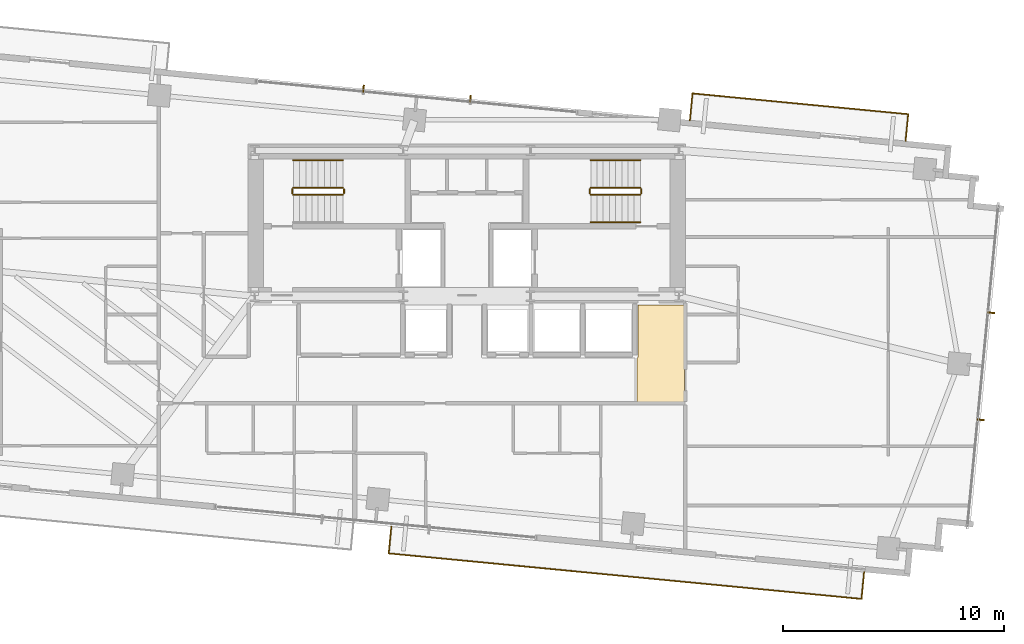
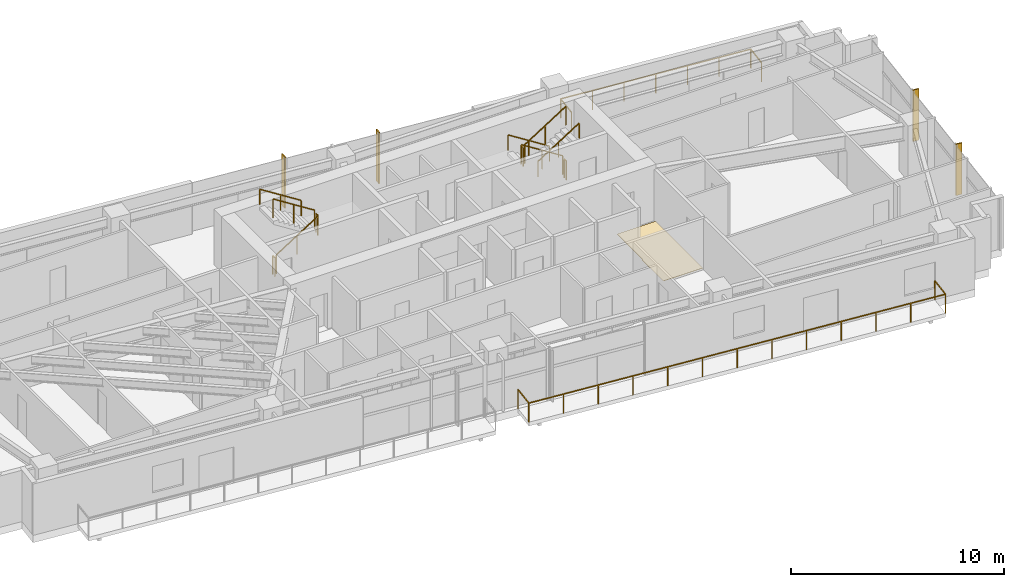
# One storey, part 19 of 19: 13 railings, 4 shading devices, 1 covering.
"""IFC4 building model written with IfcOpenShell, lengths in metres."""

from ifc_helpers import new_model, si_unit, direction, frame, origin, origin_2d, place, context, subcontext, project, spatial, polyline, rectangle, outline, extrude, source, transform, mapped, material, layer, layer_set, type_object, type_shapes, element, save


model = new_model("IFC4")

# Units and contexts
model_context = context("Model", 3, precision=1e-05, world=origin(), true_north=direction((0.0, 1.0)))
body_context = subcontext(model_context, "Body", "Model", "MODEL_VIEW")
ifc_project = project(units=[si_unit("LENGTHUNIT", "METRE"), si_unit("AREAUNIT", "SQUARE_METRE"), si_unit("VOLUMEUNIT", "CUBIC_METRE"), si_unit("PLANEANGLEUNIT", "RADIAN"), si_unit("MASSUNIT", "GRAM", prefix="KILO")], contexts=[model_context])

# Site, building, storey
site_placement = place(None, origin())
site = spatial("IfcSite", under=ifc_project, at=site_placement, CompositionType="ELEMENT")
building_placement = place(site_placement, origin())
building = spatial("IfcBuilding", under=site, at=building_placement, Name="Astriad Promenade Condominiums", CompositionType="ELEMENT")
storey_placement = place(building_placement, frame((0.0, 0.0, 124.60009765625)))
storey = spatial("IfcBuildingStorey", under=building, at=storey_placement, Name="L35", CompositionType="ELEMENT", Elevation=124.60009765625)

# Covering
ifc_material_1 = material(Name="Polished Lakefront Terrazzo Flooring")
ifc_layer = layer(ifc_material_1, 0.02001953125)
ifc_layer_set = layer_set([ifc_layer], Name="Polished Lakefront Terrazzo Flooring")
covering_type = type_object("IfcCoveringType", Name="COV-FLOR-TERRAZZO-20", PredefinedType="FLOORING", material=ifc_layer_set)
covering_placement = place(storey_placement, origin())
element("IfcCovering", 1, at=covering_placement, inside=storey, type_object=covering_type, Name="FLR-L35-COR-1", PredefinedType="FLOORING", context=body_context, shape_type="SweptSolid", body=[
    extrude(outline(polyline([(43.699951171875, 12.590087890625), (43.699951171875, 14.610107421875), (43.703857421875, 14.610107421875), (43.707763671875, 14.61083984375), (43.711669921875, 14.61181640625), (43.71533203125, 14.613037109375), (43.718994140625, 14.61474609375), (43.72216796875, 14.61669921875), (43.725341796875, 14.619140625), (43.728271484375, 14.62158203125), (43.73095703125, 14.62451171875), (43.7333984375, 14.627685546875), (43.7353515625, 14.631103515625), (43.737060546875, 14.634765625), (43.73828125, 14.638427734375), (43.7392578125, 14.64208984375), (43.73974609375, 14.64599609375), (43.739990234375, 14.64990234375), (43.739990234375, 17.010009765625), (45.840087890625, 17.010009765625), (45.840087890625, 12.590087890625), (43.699951171875, 12.590087890625)])), origin(), (0.0, 0.0, 1.0), 0.02001953125),
])

# Shading devices
ifc_material_2 = material(Name="Anodised aluminium 6063-T6 Black Fin", Category="aluminium")
shading_device_type = type_object("IfcShadingDeviceType", Name="FIN-BLACK-260", PredefinedType="USERDEFINED", material=ifc_material_2)
shared_shape_1 = source(origin(), body_context, "Body", "SweptSolid", [
    extrude(rectangle(XDim=0.06494140625, YDim=0.320068359375, at=origin_2d()), origin(), (0.0, 0.0, 1.0), 2.93994140625),
])
type_shapes(shading_device_type, [shared_shape_1])
for number, where, z_axis, x_axis, name in (
    (2, (31.3212890625, 26.7978515625, 0.0), (0.0, 0.0, 1.0), (0.995396198367, -0.09584575252, 0.0), "CW-L35-N-FIN-01"),
    (3, (36.1591796875, 26.331787109375, 0.0), (0.0, 0.0, 1.0), (0.995396198367, -0.09584575252, 0.0), "CW-L35-N-FIN-02"),
    (4, (59.7197265625, 16.652587890625, 0.0), (0.0, 0.0, 1.0), (-0.09584575252, -0.995396198367, 0.0), "CW-L35-E-FIN-01"),
    (5, (59.25341796875, 11.808349609375, 0.0), (0.0, 0.0, 1.0), (-0.09584575252, -0.995396198367, 0.0), "CW-L35-E-FIN-02"),
):
    element("IfcShadingDevice", number, at=place(storey_placement, frame(where, z_axis=z_axis, x_axis=x_axis)), inside=storey, type_object=shading_device_type, Name=name, ObjectType="FIN", PredefinedType="USERDEFINED", context=body_context, shape_type="MappedRepresentation", body=[
        mapped(shared_shape_1, transform((0.0, 0.0, 0.0), scale=1.0)),
    ])

# Railings
ifc_material_3 = material(Name="Laminated Glass and Stainless Steel Balustrade", Category="steel")
railing_type_1 = type_object("IfcRailingType", Name="GRD-BALC-1120", PredefinedType="BALUSTRADE", material=ifc_material_3)
shared_shape_2 = source(origin(), body_context, "Body", "SweptSolid", [
    extrude(rectangle(XDim=0.048095703125, YDim=0.048095703125, at=origin_2d()), frame((0.0, 0.0, 1.09619140625), z_axis=(-0.095857307208, -0.99539508571, 0.0), x_axis=(0.99539508571, -0.095857307208, 0.0)), (0.0, 0.0, 1.0), 1.219970703125),
    extrude(rectangle(XDim=0.048095703125, YDim=0.048095703125, at=origin_2d()), frame((-0.116943359375, -1.21435546875, 1.09619140625), z_axis=(0.995396826412, -0.095839229801, 0.0), x_axis=(0.095839229801, 0.995396826412, 0.0)), (0.0, 0.0, 1.0), 21.494873046875),
    extrude(rectangle(XDim=0.048095703125, YDim=0.048095703125, at=origin_2d()), frame((21.279052734375, -3.2744140625, 1.09619140625), z_axis=(0.095857307208, 0.99539508571, 0.0), x_axis=(-0.99539508571, 0.095857307208, 0.0)), (0.0, 0.0, 1.0), 1.219970703125),
    extrude(rectangle(XDim=0.0419921875, YDim=0.0419921875, at=origin_2d()), origin(), (0.0, 0.0, 1.0), 1.072021484375),
    extrude(rectangle(XDim=0.0419921875, YDim=0.0419921875, at=origin_2d()), frame((-0.116943359375, -1.21435546875, 0.0)), (0.0, 0.0, 1.0), 1.072021484375),
    extrude(rectangle(XDim=0.0419921875, YDim=0.0419921875, at=origin_2d()), frame((1.666015625, -1.385986328125, 0.0)), (0.0, 0.0, 1.0), 1.072021484375),
    extrude(rectangle(XDim=0.0419921875, YDim=0.0419921875, at=origin_2d()), frame((3.448974609375, -1.5576171875, 0.0)), (0.0, 0.0, 1.0), 1.072021484375),
    extrude(rectangle(XDim=0.0419921875, YDim=0.0419921875, at=origin_2d()), frame((5.23193359375, -1.7294921875, 0.0)), (0.0, 0.0, 1.0), 1.072021484375),
    extrude(rectangle(XDim=0.0419921875, YDim=0.0419921875, at=origin_2d()), frame((7.01513671875, -1.901123046875, 0.0)), (0.0, 0.0, 1.0), 1.072021484375),
    extrude(rectangle(XDim=0.0419921875, YDim=0.0419921875, at=origin_2d()), frame((8.798095703125, -2.07275390625, 0.0)), (0.0, 0.0, 1.0), 1.072021484375),
    extrude(rectangle(XDim=0.0419921875, YDim=0.0419921875, at=origin_2d()), frame((10.5810546875, -2.244384765625, 0.0)), (0.0, 0.0, 1.0), 1.072021484375),
    extrude(rectangle(XDim=0.0419921875, YDim=0.0419921875, at=origin_2d()), frame((12.364013671875, -2.416015625, 0.0)), (0.0, 0.0, 1.0), 1.072021484375),
    extrude(rectangle(XDim=0.0419921875, YDim=0.0419921875, at=origin_2d()), frame((14.14697265625, -2.587646484375, 0.0)), (0.0, 0.0, 1.0), 1.072021484375),
    extrude(rectangle(XDim=0.0419921875, YDim=0.0419921875, at=origin_2d()), frame((15.93017578125, -2.75927734375, 0.0)), (0.0, 0.0, 1.0), 1.072021484375),
    extrude(rectangle(XDim=0.0419921875, YDim=0.0419921875, at=origin_2d()), frame((17.713134765625, -2.93115234375, 0.0)), (0.0, 0.0, 1.0), 1.072021484375),
    extrude(rectangle(XDim=0.0419921875, YDim=0.0419921875, at=origin_2d()), frame((19.49609375, -3.102783203125, 0.0)), (0.0, 0.0, 1.0), 1.072021484375),
    extrude(rectangle(XDim=0.0419921875, YDim=0.0419921875, at=origin_2d()), frame((21.279052734375, -3.2744140625, 0.0)), (0.0, 0.0, 1.0), 1.072021484375),
    extrude(rectangle(XDim=0.0419921875, YDim=0.0419921875, at=origin_2d()), frame((21.39599609375, -2.06005859375, 0.0)), (0.0, 0.0, 1.0), 1.072021484375),
])
railing_1_placement = place(storey_placement, frame((32.579345703125, 6.975830078125, 0.0)))
element("IfcRailing", 6, at=railing_1_placement, inside=storey, type_object=railing_type_1, Name="GRD-BALC-L35-SE", PredefinedType="BALUSTRADE", context=body_context, shape_type="MappedRepresentation", body=[
    mapped(shared_shape_2, transform((0.0, 0.0, 0.0), scale=1.0)),
])
shared_shape_3 = source(origin(), body_context, "Body", "SweptSolid", [
    extrude(rectangle(XDim=0.048095703125, YDim=0.048095703125, at=origin_2d()), frame((0.0, 0.0, 1.09619140625), z_axis=(0.095857307208, 0.99539508571, 0.0), x_axis=(-0.99539508571, 0.095857307208, 0.0)), (0.0, 0.0, 1.0), 1.219970703125),
    extrude(rectangle(XDim=0.048095703125, YDim=0.048095703125, at=origin_2d()), frame((0.116943359375, 1.21435546875, 1.09619140625), z_axis=(-0.995396477647, 0.095842852043, 0.0), x_axis=(-0.095842852043, -0.995396477647, 0.0)), (0.0, 0.0, 1.0), 9.80712890625),
    extrude(rectangle(XDim=0.048095703125, YDim=0.048095703125, at=origin_2d()), frame((-9.64501953125, 2.154296875, 1.09619140625), z_axis=(-0.095659020692, -0.99541416092, 0.0), x_axis=(0.99541416092, -0.095659020692, 0.0)), (0.0, 0.0, 1.0), 1.219970703125),
    extrude(rectangle(XDim=0.0419921875, YDim=0.0419921875, at=origin_2d()), origin(), (0.0, 0.0, 1.0), 1.072021484375),
    extrude(rectangle(XDim=0.0419921875, YDim=0.0419921875, at=origin_2d()), frame((0.116943359375, 1.21435546875, 0.0)), (0.0, 0.0, 1.0), 1.072021484375),
    extrude(rectangle(XDim=0.0419921875, YDim=0.0419921875, at=origin_2d()), frame((-1.510009765625, 1.37109375, 0.0)), (0.0, 0.0, 1.0), 1.072021484375),
    extrude(rectangle(XDim=0.0419921875, YDim=0.0419921875, at=origin_2d()), frame((-3.136962890625, 1.527587890625, 0.0)), (0.0, 0.0, 1.0), 1.072021484375),
    extrude(rectangle(XDim=0.0419921875, YDim=0.0419921875, at=origin_2d()), frame((-4.76416015625, 1.684326171875, 0.0)), (0.0, 0.0, 1.0), 1.072021484375),
    extrude(rectangle(XDim=0.0419921875, YDim=0.0419921875, at=origin_2d()), frame((-6.39111328125, 1.841064453125, 0.0)), (0.0, 0.0, 1.0), 1.072021484375),
    extrude(rectangle(XDim=0.0419921875, YDim=0.0419921875, at=origin_2d()), frame((-8.01806640625, 1.99755859375, 0.0)), (0.0, 0.0, 1.0), 1.072021484375),
    extrude(rectangle(XDim=0.0419921875, YDim=0.0419921875, at=origin_2d()), frame((-9.64501953125, 2.154296875, 0.0)), (0.0, 0.0, 1.0), 1.072021484375),
    extrude(rectangle(XDim=0.0419921875, YDim=0.0419921875, at=origin_2d()), frame((-9.76171875, 0.93994140625, 0.0)), (0.0, 0.0, 1.0), 1.072021484375),
])
type_shapes(railing_type_1, [shared_shape_2, shared_shape_3])
railing_2_placement = place(storey_placement, frame((55.85400390625, 24.425537109375, 0.0)))
element("IfcRailing", 7, at=railing_2_placement, inside=storey, type_object=railing_type_1, Name="GRD-BALC-L35-NE", PredefinedType="BALUSTRADE", context=body_context, shape_type="MappedRepresentation", body=[
    mapped(shared_shape_3, transform((0.0, 0.0, 0.0), scale=1.0)),
])
ifc_material_4 = material(Name="Painted Galvanised Steel Guardrail", Category="steel")
railing_type_2 = type_object("IfcRailingType", Name="GRD-STAIR-1100", PredefinedType="GUARDRAIL", material=ifc_material_4)
shared_shape_4 = source(origin(), body_context, "Body", "SweptSolid", [
    extrude(rectangle(XDim=0.048095703125, YDim=0.048095703125, at=origin_2d()), frame((0.0, 0.0, 1.076171875), z_axis=(0.0, 1.0, 0.0), x_axis=(-1.0, 0.0, 0.0)), (0.0, 0.0, 1.0), 0.199951171875),
    extrude(rectangle(XDim=0.0419921875, YDim=0.0419921875, at=origin_2d()), origin(), (0.0, 0.0, 1.0), 1.052001953125),
    extrude(rectangle(XDim=0.0419921875, YDim=0.0419921875, at=origin_2d()), frame((0.0, 0.199951171875, 0.0)), (0.0, 0.0, 1.0), 1.052001953125),
])
for number, where, name in (
    (8, (30.43994140625, 22.050048828125, 1.599853515625), "L35 ST-1 stair guard 2"),
    (9, (28.10009765625, 22.050048828125, 0.0), "L35 ST-1 stair guard 4"),
):
    element("IfcRailing", number, at=place(storey_placement, frame(where)), inside=storey, type_object=railing_type_2, Name=name, PredefinedType="GUARDRAIL", context=body_context, shape_type="MappedRepresentation", body=[
        mapped(shared_shape_4, transform((0.0, 0.0, 0.0), scale=1.0)),
    ])
shared_shape_5 = source(origin(), body_context, "Body", "SweptSolid", [
    extrude(rectangle(XDim=0.048095703125, YDim=0.048095703125, at=origin_2d()), frame((0.0, 0.0, 1.076171875), z_axis=(0.84418770128, 0.0, 0.536047689118), x_axis=(0.0, 1.0, 0.0)), (0.0, 0.0, 1.0), 2.6533203125),
    extrude(rectangle(XDim=0.0419921875, YDim=0.0419921875, at=origin_2d()), origin(), (0.0, 0.0, 1.0), 1.052001953125),
    extrude(rectangle(XDim=0.0419921875, YDim=0.0419921875, at=origin_2d()), frame((1.1201171875, 0.0, 0.711181640625)), (0.0, 0.0, 1.0), 1.052001953125),
    extrude(rectangle(XDim=0.0419921875, YDim=0.0419921875, at=origin_2d()), frame((2.239990234375, 0.0, 1.42236328125)), (0.0, 0.0, 1.0), 1.052001953125),
])
railing_3_placement = place(storey_placement, frame((41.610107421875, 22.0, 1.777587890625)))
element("IfcRailing", 10, at=railing_3_placement, inside=storey, type_object=railing_type_2, Name="L35 ST-2 stair guard 3", PredefinedType="GUARDRAIL", context=body_context, shape_type="MappedRepresentation", body=[
    mapped(shared_shape_5, transform((0.0, 0.0, 0.0), scale=1.0)),
])
shared_shape_6 = source(origin(), body_context, "Body", "SweptSolid", [
    extrude(rectangle(XDim=0.048095703125, YDim=0.048095703125, at=origin_2d()), frame((0.0, 0.0, 1.076171875), z_axis=(-0.8442293374, 0.0, 0.53598211339), x_axis=(0.0, -1.0, 0.0)), (0.0, 0.0, 1.0), 2.6533203125),
    extrude(rectangle(XDim=0.0419921875, YDim=0.0419921875, at=origin_2d()), origin(), (0.0, 0.0, 1.0), 1.052001953125),
    extrude(rectangle(XDim=0.0419921875, YDim=0.0419921875, at=origin_2d()), frame((-1.1201171875, 0.0, 0.7109375)), (0.0, 0.0, 1.0), 1.052001953125),
    extrude(rectangle(XDim=0.0419921875, YDim=0.0419921875, at=origin_2d()), frame((-2.239990234375, 0.0, 1.422119140625)), (0.0, 0.0, 1.0), 1.052001953125),
])
railing_4_placement = place(storey_placement, frame((43.85009765625, 22.300048828125, 0.177734375)))
element("IfcRailing", 11, at=railing_4_placement, inside=storey, type_object=railing_type_2, Name="L35 ST-2 stair guard 1", PredefinedType="GUARDRAIL", context=body_context, shape_type="MappedRepresentation", body=[
    mapped(shared_shape_6, transform((0.0, 0.0, 0.0), scale=1.0)),
])
ifc_material_5 = material(Name="Brushed Stainless Steel Handrail", Category="steel")
railing_type_3 = type_object("IfcRailingType", Name="HRL-STAIR-920", PredefinedType="HANDRAIL", material=ifc_material_5)
shared_shape_7 = source(origin(), body_context, "Body", "SweptSolid", [
    extrude(rectangle(XDim=0.048095703125, YDim=0.048095703125, at=origin_2d()), frame((0.0, 0.0, 0.8759765625), z_axis=(0.84418770128, 0.0, 0.536047689118), x_axis=(0.0, 1.0, 0.0)), (0.0, 0.0, 1.0), 2.6533203125),
    extrude(rectangle(XDim=0.0419921875, YDim=0.0419921875, at=origin_2d()), origin(), (0.0, 0.0, 1.0), 0.851806640625),
    extrude(rectangle(XDim=0.0419921875, YDim=0.0419921875, at=origin_2d()), frame((1.1201171875, 0.0, 0.711181640625)), (0.0, 0.0, 1.0), 0.851806640625),
    extrude(rectangle(XDim=0.0419921875, YDim=0.0419921875, at=origin_2d()), frame((2.239990234375, 0.0, 1.42236328125)), (0.0, 0.0, 1.0), 0.851806640625),
])
railing_5_placement = place(storey_placement, frame((41.610107421875, 20.75, 1.777587890625)))
element("IfcRailing", 12, at=railing_5_placement, inside=storey, type_object=railing_type_3, Name="L35 ST-2 stair handrail 2", PredefinedType="HANDRAIL", context=body_context, shape_type="MappedRepresentation", body=[
    mapped(shared_shape_7, transform((0.0, 0.0, 0.0), scale=1.0)),
])
shared_shape_8 = source(origin(), body_context, "Body", "SweptSolid", [
    extrude(rectangle(XDim=0.048095703125, YDim=0.048095703125, at=origin_2d()), frame((0.0, 0.0, 0.8759765625), z_axis=(-0.8442293374, 0.0, 0.53598211339), x_axis=(0.0, -1.0, 0.0)), (0.0, 0.0, 1.0), 2.6533203125),
    extrude(rectangle(XDim=0.0419921875, YDim=0.0419921875, at=origin_2d()), origin(), (0.0, 0.0, 1.0), 0.851806640625),
    extrude(rectangle(XDim=0.0419921875, YDim=0.0419921875, at=origin_2d()), frame((-1.1201171875, 0.0, 0.7109375)), (0.0, 0.0, 1.0), 0.851806640625),
    extrude(rectangle(XDim=0.0419921875, YDim=0.0419921875, at=origin_2d()), frame((-2.239990234375, 0.0, 1.422119140625)), (0.0, 0.0, 1.0), 0.851806640625),
])
railing_6_placement = place(storey_placement, frame((43.85009765625, 23.550048828125, 0.177734375)))
element("IfcRailing", 13, at=railing_6_placement, inside=storey, type_object=railing_type_3, Name="L35 ST-2 stair handrail 1", PredefinedType="HANDRAIL", context=body_context, shape_type="MappedRepresentation", body=[
    mapped(shared_shape_8, transform((0.0, 0.0, 0.0), scale=1.0)),
])
shared_shape_9 = source(origin(), body_context, "Body", "SweptSolid", [
    extrude(rectangle(XDim=0.048095703125, YDim=0.048095703125, at=origin_2d()), frame((0.0, 0.0, 1.076171875), z_axis=(0.8442293374, 0.0, 0.53598211339), x_axis=(0.0, 1.0, 0.0)), (0.0, 0.0, 1.0), 2.6533203125),
    extrude(rectangle(XDim=0.0419921875, YDim=0.0419921875, at=origin_2d()), origin(), (0.0, 0.0, 1.0), 1.052001953125),
    extrude(rectangle(XDim=0.0419921875, YDim=0.0419921875, at=origin_2d()), frame((1.1201171875, 0.0, 0.7109375)), (0.0, 0.0, 1.0), 1.052001953125),
    extrude(rectangle(XDim=0.0419921875, YDim=0.0419921875, at=origin_2d()), frame((2.239990234375, 0.0, 1.422119140625)), (0.0, 0.0, 1.0), 1.052001953125),
])
railing_7_placement = place(storey_placement, frame((28.14990234375, 22.0, 0.177734375)))
element("IfcRailing", 14, at=railing_7_placement, inside=storey, type_object=railing_type_2, Name="L35 ST-1 stair guard 1", PredefinedType="GUARDRAIL", context=body_context, shape_type="MappedRepresentation", body=[
    mapped(shared_shape_9, transform((0.0, 0.0, 0.0), scale=1.0)),
])
shared_shape_10 = source(origin(), body_context, "Body", "SweptSolid", [
    extrude(rectangle(XDim=0.048095703125, YDim=0.048095703125, at=origin_2d()), frame((0.0, 0.0, 1.076171875), z_axis=(-0.84418770128, 0.0, 0.536047689118), x_axis=(0.0, -1.0, 0.0)), (0.0, 0.0, 1.0), 2.6533203125),
    extrude(rectangle(XDim=0.0419921875, YDim=0.0419921875, at=origin_2d()), origin(), (0.0, 0.0, 1.0), 1.052001953125),
    extrude(rectangle(XDim=0.0419921875, YDim=0.0419921875, at=origin_2d()), frame((-1.1201171875, 0.0, 0.711181640625)), (0.0, 0.0, 1.0), 1.052001953125),
    extrude(rectangle(XDim=0.0419921875, YDim=0.0419921875, at=origin_2d()), frame((-2.239990234375, 0.0, 1.42236328125)), (0.0, 0.0, 1.0), 1.052001953125),
])
railing_8_placement = place(storey_placement, frame((30.389892578125, 22.300048828125, 1.777587890625)))
element("IfcRailing", 15, at=railing_8_placement, inside=storey, type_object=railing_type_2, Name="L35 ST-1 stair guard 3", PredefinedType="GUARDRAIL", context=body_context, shape_type="MappedRepresentation", body=[
    mapped(shared_shape_10, transform((0.0, 0.0, 0.0), scale=1.0)),
])
shared_shape_11 = source(origin(), body_context, "Body", "SweptSolid", [
    extrude(rectangle(XDim=0.048095703125, YDim=0.048095703125, at=origin_2d()), frame((0.0, 0.0, 0.8759765625), z_axis=(-0.84418770128, 0.0, 0.536047689118), x_axis=(0.0, -1.0, 0.0)), (0.0, 0.0, 1.0), 2.6533203125),
    extrude(rectangle(XDim=0.0419921875, YDim=0.0419921875, at=origin_2d()), origin(), (0.0, 0.0, 1.0), 0.851806640625),
    extrude(rectangle(XDim=0.0419921875, YDim=0.0419921875, at=origin_2d()), frame((-1.1201171875, 0.0, 0.711181640625)), (0.0, 0.0, 1.0), 0.851806640625),
    extrude(rectangle(XDim=0.0419921875, YDim=0.0419921875, at=origin_2d()), frame((-2.239990234375, 0.0, 1.42236328125)), (0.0, 0.0, 1.0), 0.851806640625),
])
type_shapes(railing_type_3, [shared_shape_7, shared_shape_8, shared_shape_11])
railing_9_placement = place(storey_placement, frame((30.389892578125, 23.550048828125, 1.777587890625)))
element("IfcRailing", 16, at=railing_9_placement, inside=storey, type_object=railing_type_3, Name="L35 ST-1 stair handrail 2", PredefinedType="HANDRAIL", context=body_context, shape_type="MappedRepresentation", body=[
    mapped(shared_shape_11, transform((0.0, 0.0, 0.0), scale=1.0)),
])
shared_shape_12 = source(origin(), body_context, "Body", "SweptSolid", [
    extrude(rectangle(XDim=0.048095703125, YDim=0.048095703125, at=origin_2d()), frame((0.0, 0.0, 1.076171875), z_axis=(0.0, -1.0, 0.0), x_axis=(1.0, 0.0, 0.0)), (0.0, 0.0, 1.0), 0.199951171875),
    extrude(rectangle(XDim=0.0419921875, YDim=0.0419921875, at=origin_2d()), origin(), (0.0, 0.0, 1.0), 1.052001953125),
    extrude(rectangle(XDim=0.0419921875, YDim=0.0419921875, at=origin_2d()), frame((0.0, -0.199951171875, 0.0)), (0.0, 0.0, 1.0), 1.052001953125),
])
type_shapes(railing_type_2, [shared_shape_4, shared_shape_5, shared_shape_6, shared_shape_9, shared_shape_10, shared_shape_12])
for number, where, name in (
    (17, (41.56005859375, 22.25, 1.599853515625), "L35 ST-2 stair guard 2"),
    (18, (43.89990234375, 22.25, 0.0), "L35 ST-2 stair guard 4"),
):
    element("IfcRailing", number, at=place(storey_placement, frame(where)), inside=storey, type_object=railing_type_2, Name=name, PredefinedType="GUARDRAIL", context=body_context, shape_type="MappedRepresentation", body=[
        mapped(shared_shape_12, transform((0.0, 0.0, 0.0), scale=1.0)),
    ])

save(model, "model.ifc")
